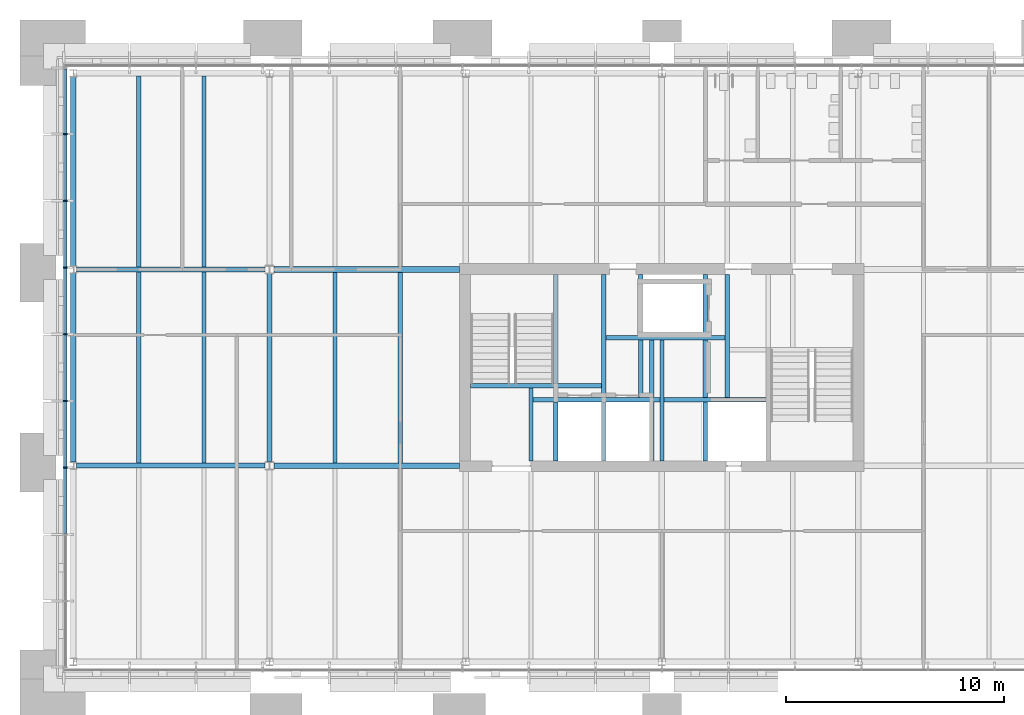
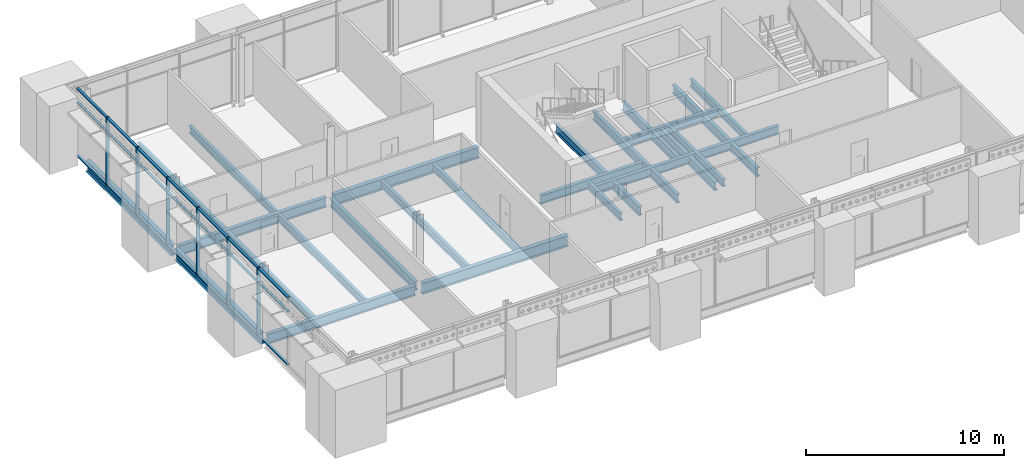
# One storey, part 13 of 37: 31 beams, 27 members, 1 element without a shape of its own.
"""IFC4 building model written with IfcOpenShell, lengths in metres."""

import ifcopenshell
import ifcopenshell.guid

model = None  # the IFC model being written
_history = None  # IfcOwnerHistory: only IFC2X3 demands one
_inside = {}  # id of a spatial element -> (the spatial element, [elements in it])
_under = {}  # id of a project, library or spatial element -> (it, [spatial elements below it])
_declared = {}  # id of a project -> (the project, [libraries it declares])
_typed = {}  # id of a type object -> (the type object, [elements of that type])
_made_of = {}  # id of a material, layer set ... -> (it, [elements and type objects made of it])


def new_model(schema):
    """Start an empty IFC model of exactly this schema.

    Asked for "IFC4X3", IfcOpenShell would pick the latest addendum, in which some entities
    have other attributes; the version numbers below select the first issue.
    IFC2X3 requires an IfcOwnerHistory on every rooted entity: one is made here for all.
    """
    global model, _history
    if schema == "IFC4X3":
        model = ifcopenshell.file(schema_version=(4, 3, 0, 0))
    else:
        model = ifcopenshell.file(schema=schema)
    _inside.clear()
    _under.clear()
    _declared.clear()
    _typed.clear()
    _made_of.clear()
    _history = None
    if model.schema == "IFC2X3":
        org = make("IfcOrganization", Name="unknown")
        user = make(
            "IfcPersonAndOrganization",
            ThePerson=make("IfcPerson", FamilyName="unknown"),
            TheOrganization=org,
        )
        app = make(
            "IfcApplication",
            ApplicationDeveloper=org,
            Version="unknown",
            ApplicationFullName="unknown",
            ApplicationIdentifier="unknown",
        )
        _history = make(
            "IfcOwnerHistory",
            OwningUser=user,
            OwningApplication=app,
            ChangeAction="ADDED",
            CreationDate=0,
        )
    return model


def make(cls, **values):
    """One entity of the class cls with the attributes given. An attribute that is None is left unset."""
    return model.create_entity(
        cls, **{name: value for name, value in values.items() if value is not None}
    )


def rooted(cls, **values):
    """An entity with a GlobalId (a new one), such as an element, a storey or a relation."""
    return make(cls, GlobalId=ifcopenshell.guid.new(), OwnerHistory=_history, **values)


def si_unit(unit_type, name, prefix=None):
    """IfcSIUnit, for example si_unit("LENGTHUNIT", "METRE", prefix="MILLI")."""
    return make("IfcSIUnit", UnitType=unit_type, Prefix=prefix, Name=name)


def assignment(units):
    """IfcUnitAssignment: the units of a project."""
    return None if units is None else make("IfcUnitAssignment", Units=units)


def point(xyz):
    """IfcCartesianPoint."""
    return None if xyz is None else make("IfcCartesianPoint", Coordinates=xyz)


def direction(xyz):
    """IfcDirection."""
    return None if xyz is None else make("IfcDirection", DirectionRatios=xyz)


def frame(location, z_axis=None, x_axis=None):
    """IfcAxis2Placement3D, a coordinate frame: its origin and axes. An axis left out is left unset."""
    return make(
        "IfcAxis2Placement3D",
        Location=point(location),
        Axis=direction(z_axis),
        RefDirection=direction(x_axis),
    )


def frame_2d(location, x_axis=None):
    """IfcAxis2Placement2D, a coordinate frame in the plane: its origin and x axis."""
    return make(
        "IfcAxis2Placement2D", Location=point(location), RefDirection=direction(x_axis)
    )


def origin():
    """The frame at (0, 0, 0) with its axes left unset."""
    return frame((0.0, 0.0, 0.0))


def origin_2d():
    """The frame at (0, 0) in the plane with its x axis left unset."""
    return frame_2d((0.0, 0.0))


def place(relative_to, where):
    """IfcLocalPlacement: puts the frame where relative to a parent placement (None: the world)."""
    return make(
        "IfcLocalPlacement", PlacementRelTo=relative_to, RelativePlacement=where
    )


def context(
    kind, dimensions, precision=None, world=None, true_north=None, identifier=None
):
    """IfcGeometricRepresentationContext, for example the 3D "Model" context."""
    return make(
        "IfcGeometricRepresentationContext",
        ContextIdentifier=identifier,
        ContextType=kind,
        CoordinateSpaceDimension=dimensions,
        Precision=precision,
        WorldCoordinateSystem=world,
        TrueNorth=true_north,
    )


def subcontext(parent, identifier, kind, view, scale=None):
    """IfcGeometricRepresentationSubContext, for example "Body" below "Model"."""
    return make(
        "IfcGeometricRepresentationSubContext",
        ContextIdentifier=identifier,
        ContextType=kind,
        ParentContext=parent,
        TargetScale=scale,
        TargetView=view,
    )


def project(units=None, contexts=None):
    """IfcProject with its units and contexts."""
    return rooted(
        "IfcProject",
        Name="project",
        RepresentationContexts=contexts,
        UnitsInContext=assignment(units),
    )


def spatial(cls, under=None, at=None, **own):
    """A site, building, storey or space (cls), placed at a placement, below another one or the project."""
    s = rooted(cls, ObjectPlacement=at, **own)
    if under is not None:
        _under.setdefault(under.id(), (under, []))[1].append(s)
    return s


def profile(cls, at=None, kind="AREA", **sizes):
    """A parametric profile (cls). Its sizes go by their IFC names, for example OverallWidth=200.0."""
    return make(cls, ProfileType=kind, Position=at, **sizes)


def rectangle(**sizes):
    """IfcRectangleProfileDef."""
    return profile("IfcRectangleProfileDef", **sizes)


def i_section(**sizes):
    """IfcIShapeProfileDef."""
    return profile("IfcIShapeProfileDef", **sizes)


def extrude(swept, where, along, depth):
    """IfcExtrudedAreaSolid: the profile swept, set in the frame where, extruded along a direction by depth."""
    return make(
        "IfcExtrudedAreaSolid",
        SweptArea=swept,
        Position=where,
        ExtrudedDirection=direction(along),
        Depth=depth,
    )


def shape(context_of_items, identifier, shape_type, items):
    """IfcShapeRepresentation: the items that make up one representation, for example the "Body"."""
    return make(
        "IfcShapeRepresentation",
        ContextOfItems=context_of_items,
        RepresentationIdentifier=identifier,
        RepresentationType=shape_type,
        Items=items,
    )


def material(Name=None, Category=None):
    """IfcMaterial."""
    return make("IfcMaterial", Name=Name, Category=Category)


def material_profile(
    of_material, cross_section, Name=None, Category=None, Priority=None
):
    """IfcMaterialProfile: a cross section and its material."""
    return make(
        "IfcMaterialProfile",
        Name=Name,
        Material=of_material,
        Profile=cross_section,
        Priority=Priority,
        Category=Category,
    )


def profile_set(profiles, Name=None, composite=None):
    """IfcMaterialProfileSet."""
    return make(
        "IfcMaterialProfileSet",
        Name=Name,
        MaterialProfiles=profiles,
        CompositeProfile=composite,
    )


def made_of(thing, what):
    """Note that an element or type object is made of a material, layer set ...; save() writes the relation."""
    if what is not None:
        _made_of.setdefault(what.id(), (what, []))[1].append(thing)
    return thing


def type_object(cls, material=None, **own):
    """A type object (cls), such as IfcWallType, which elements share."""
    return made_of(rooted(cls, **own), material)


def element(
    cls,
    number,
    at=None,
    inside=None,
    cuts=None,
    type_object=None,
    material=None,
    context=None,
    identifier="Body",
    shape_type=None,
    held_by="IfcProductDefinitionShape",
    body=None,
    shapes=None,
    **own,
):
    """One element of the class cls, such as IfcWall. Its Tag is "e" and its number.

    at: its placement. inside: the storey or other place that contains it. cuts: it is an
    opening in that element (IfcRelVoidsElement). A single representation is given by context,
    identifier, shape_type and body (its items); several are given by shapes. held_by: the class
    of the entity that holds the representations. save() writes the other relations.
    """
    e = rooted(cls, Tag="e%d" % number, ObjectPlacement=at, **own)
    if body is not None:
        shapes = [shape(context, identifier, shape_type, body)]
    if shapes is not None:
        e.Representation = make(held_by, Representations=shapes)
    if inside is not None:
        _inside.setdefault(inside.id(), (inside, []))[1].append(e)
    if cuts is not None:
        rooted(
            "IfcRelVoidsElement", RelatingBuildingElement=cuts, RelatedOpeningElement=e
        )
    if type_object is not None:
        _typed.setdefault(type_object.id(), (type_object, []))[1].append(e)
    return made_of(e, material)


def aggregate(whole, parts):
    """IfcRelAggregates: a whole, such as a stair, and the parts it consists of."""
    return rooted("IfcRelAggregates", RelatingObject=whole, RelatedObjects=parts)


def save(model, path):
    """Write the relations noted so far, then the file.

    IfcRelAggregates (storeys below a building ...), IfcRelContainedInSpatialStructure (elements
    in a storey), IfcRelDefinesByType, IfcRelAssociatesMaterial and IfcRelDeclares: one each for
    every whole, place, type object, material and project.
    """
    for whole, parts in _under.values():
        aggregate(whole, parts)
    for where, things in _inside.values():
        rooted(
            "IfcRelContainedInSpatialStructure",
            RelatedElements=things,
            RelatingStructure=where,
        )
    for kind, things in _typed.values():
        rooted("IfcRelDefinesByType", RelatedObjects=things, RelatingType=kind)
    for what, things in _made_of.values():
        rooted("IfcRelAssociatesMaterial", RelatedObjects=things, RelatingMaterial=what)
    for by, libraries in _declared.values():
        rooted("IfcRelDeclares", RelatingContext=by, RelatedDefinitions=libraries)
    model.write(path)


model = new_model("IFC4")

# Units and contexts
model_context = context("Model", 3, precision=1e-05, world=origin(), true_north=direction((0.0, 1.0)))
body_context = subcontext(model_context, "Body", "Model", "MODEL_VIEW")
ifc_project = project(units=[si_unit("LENGTHUNIT", "METRE"), si_unit("AREAUNIT", "SQUARE_METRE"), si_unit("VOLUMEUNIT", "CUBIC_METRE"), si_unit("PLANEANGLEUNIT", "RADIAN"), si_unit("MASSUNIT", "GRAM", prefix="KILO")], contexts=[model_context])

# Site, building, storey
site_placement = place(None, origin())
site = spatial("IfcSite", under=ifc_project, at=site_placement, CompositionType="ELEMENT")
building_placement = place(site_placement, origin())
building = spatial("IfcBuilding", under=site, at=building_placement, Name="Baradari Gate Terminus", CompositionType="ELEMENT")
storey_placement = place(building_placement, frame((0.0, 0.0, 24.300048828125)))
storey = spatial("IfcBuildingStorey", under=building, at=storey_placement, Name="L05", CompositionType="ELEMENT", Elevation=24.300048828125)

# Beams
ifc_material_1 = material(Name="Steel S355", Category="steel")
ifc_material_profile_1 = material_profile(ifc_material_1, i_section(OverallWidth=0.19140625, OverallDepth=0.4599609375, WebThickness=0.010009765625, FlangeThickness=0.01611328125, FilletRadius=0.01025390625, at=origin_2d()), Name="UB 457x191x82")
ifc_profile_set_1 = profile_set([ifc_material_profile_1], Name="Steel S355")
beam_type_1 = type_object("IfcBeamType", Name="Core floor beam B23 UB 457x191x82", PredefinedType="BEAM", material=ifc_profile_set_1)
beam_1_placement = place(storey_placement, frame((30.0, 126.22509765625, -0.360107421875), z_axis=(0.0, 1.0, 0.0), x_axis=(-1.0, 0.0, 0.0)))
element("IfcBeam", 1, at=beam_1_placement, inside=storey, type_object=beam_type_1, Name="Core floor beam B23 30:126.225-129.57 L05", PredefinedType="BEAM", context=body_context, shape_type="SweptSolid", body=[
    extrude(i_section(OverallWidth=0.19140625, OverallDepth=0.4599609375, WebThickness=0.010009765625, FlangeThickness=0.01611328125, FilletRadius=0.01025390625, at=origin_2d()), origin(), (0.0, 0.0, 1.0), 3.34521484375),
])
beam_2_placement = place(storey_placement, frame((36.0, 126.22509765625, -0.360107421875), z_axis=(0.0, 1.0, 0.0), x_axis=(-1.0, 0.0, 0.0)))
element("IfcBeam", 2, at=beam_2_placement, inside=storey, type_object=beam_type_1, Name="Core floor beam B23 5:126.225-131.77 L05", PredefinedType="BEAM", context=body_context, shape_type="SweptSolid", body=[
    extrude(i_section(OverallWidth=0.19140625, OverallDepth=0.4599609375, WebThickness=0.010009765625, FlangeThickness=0.01611328125, FilletRadius=0.01025390625, at=origin_2d()), origin(), (0.0, 0.0, 1.0), 5.54541015625),
])
beam_3_placement = place(storey_placement, frame((39.0, 129.129638671875, -0.360107421875), z_axis=(0.0, 1.0, 0.0), x_axis=(-1.0, 0.0, 0.0)))
element("IfcBeam", 3, at=beam_3_placement, inside=storey, type_object=beam_type_1, Name="Core floor beam B23 39:129.13-134.775 L05", PredefinedType="BEAM", context=body_context, shape_type="SweptSolid", body=[
    extrude(i_section(OverallWidth=0.19140625, OverallDepth=0.4599609375, WebThickness=0.010009765625, FlangeThickness=0.01611328125, FilletRadius=0.01025390625, at=origin_2d()), origin(), (0.0, 0.0, 1.0), 5.645263671875),
])
ifc_material_2 = material(Name="Steel S355", Category="steel")
ifc_material_profile_2 = material_profile(ifc_material_2, i_section(OverallWidth=0.209228515625, OverallDepth=0.533203125, WebThickness=0.010009765625, FlangeThickness=0.015625, FilletRadius=0.0126953125, at=origin_2d()), Name="UB 533x210x92")
ifc_profile_set_2 = profile_set([ifc_material_profile_2], Name="Steel S355")
beam_type_2 = type_object("IfcBeamType", Name="Core floor trimmer beam B22 UB 533x210x92", PredefinedType="BEAM", material=ifc_profile_set_2)
beam_4_placement = place(storey_placement, frame((30.095703125, 129.02490234375, -0.396484375), z_axis=(1.0, 0.0, 0.0), x_axis=(0.0, 1.0, 0.0)))
element("IfcBeam", 4, at=beam_4_placement, inside=storey, type_object=beam_type_2, Name="Core floor trimmer beam B22 129.025:30.096-35.904 L05", PredefinedType="BEAM", context=body_context, shape_type="SweptSolid", body=[
    extrude(i_section(OverallWidth=0.209228515625, OverallDepth=0.533203125, WebThickness=0.010009765625, FlangeThickness=0.015625, FilletRadius=0.0126953125, at=origin_2d()), origin(), (0.0, 0.0, 1.0), 5.80859375),
])
beam_5_placement = place(storey_placement, frame((36.095703125, 129.02490234375, -0.396484375), z_axis=(1.0, 0.0, 0.0), x_axis=(0.0, 1.0, 0.0)))
element("IfcBeam", 5, at=beam_5_placement, inside=storey, type_object=beam_type_2, Name="Core floor trimmer beam B22 129.025:36.096-40.77 L05", PredefinedType="BEAM", context=body_context, shape_type="SweptSolid", body=[
    extrude(i_section(OverallWidth=0.209228515625, OverallDepth=0.533203125, WebThickness=0.010009765625, FlangeThickness=0.015625, FilletRadius=0.0126953125, at=origin_2d()), origin(), (0.0, 0.0, 1.0), 4.6748046875),
])
beam_6_placement = place(storey_placement, frame((27.22509765625, 129.675048828125, -0.396484375), z_axis=(1.0, 0.0, 0.0), x_axis=(0.0, 1.0, 0.0)))
element("IfcBeam", 6, at=beam_6_placement, inside=storey, type_object=beam_type_2, Name="Core floor trimmer beam B22 129.675:27.225-33.22 L05", PredefinedType="BEAM", context=body_context, shape_type="SweptSolid", body=[
    extrude(i_section(OverallWidth=0.209228515625, OverallDepth=0.533203125, WebThickness=0.010009765625, FlangeThickness=0.015625, FilletRadius=0.0126953125, at=origin_2d()), origin(), (0.0, 0.0, 1.0), 5.995361328125),
])
beam_7_placement = place(storey_placement, frame((33.4296875, 131.875, -0.396484375), z_axis=(1.0, 0.0, 0.0), x_axis=(0.0, 1.0, 0.0)))
element("IfcBeam", 7, at=beam_7_placement, inside=storey, type_object=beam_type_2, Name="Core floor trimmer beam B22 131.875:33.43-38.904 L05", PredefinedType="BEAM", context=body_context, shape_type="SweptSolid", body=[
    extrude(i_section(OverallWidth=0.209228515625, OverallDepth=0.533203125, WebThickness=0.010009765625, FlangeThickness=0.015625, FilletRadius=0.0126953125, at=origin_2d()), origin(), (0.0, 0.0, 1.0), 5.474609375),
])
for number, where, z_axis, x_axis, name in (
    (8, (31.125, 126.22509765625, -0.396484375), (0.0, 1.0, 0.0), (-1.0, 0.0, 0.0), "Core floor trimmer beam B22 31.125:126.225-128.92 L05"),
    (9, (33.324951171875, 126.22509765625, -0.396484375), (0.0, 1.0, 0.0), (-1.0, 0.0, 0.0), "Core floor trimmer beam B22 33.325:126.225-128.92 L05"),
):
    element("IfcBeam", number, at=place(storey_placement, frame(where, z_axis=z_axis, x_axis=x_axis)), inside=storey, type_object=beam_type_2, Name=name, PredefinedType="BEAM", context=body_context, shape_type="SweptSolid", body=[
        extrude(i_section(OverallWidth=0.209228515625, OverallDepth=0.533203125, WebThickness=0.010009765625, FlangeThickness=0.015625, FilletRadius=0.0126953125, at=origin_2d()), origin(), (0.0, 0.0, 1.0), 2.6953125),
    ])
beam_8_placement = place(storey_placement, frame((33.324951171875, 129.129638671875, -0.396484375), z_axis=(0.0, 1.0, 0.0), x_axis=(-1.0, 0.0, 0.0)))
element("IfcBeam", 10, at=beam_8_placement, inside=storey, type_object=beam_type_2, Name="Core floor trimmer beam B22 33.325:129.13-134.775 L05", PredefinedType="BEAM", context=body_context, shape_type="SweptSolid", body=[
    extrude(i_section(OverallWidth=0.209228515625, OverallDepth=0.533203125, WebThickness=0.010009765625, FlangeThickness=0.015625, FilletRadius=0.0126953125, at=origin_2d()), origin(), (0.0, 0.0, 1.0), 5.645263671875),
])
beam_9_placement = place(storey_placement, frame((35.530029296875, 126.22509765625, -0.396484375), z_axis=(0.0, 1.0, 0.0), x_axis=(-1.0, 0.0, 0.0)))
element("IfcBeam", 11, at=beam_9_placement, inside=storey, type_object=beam_type_2, Name="Core floor trimmer beam B22 35.53:126.225-128.92 L05", PredefinedType="BEAM", context=body_context, shape_type="SweptSolid", body=[
    extrude(i_section(OverallWidth=0.209228515625, OverallDepth=0.533203125, WebThickness=0.010009765625, FlangeThickness=0.015625, FilletRadius=0.0126953125, at=origin_2d()), origin(), (0.0, 0.0, 1.0), 2.6953125),
])
beam_10_placement = place(storey_placement, frame((35.530029296875, 129.129638671875, -0.396484375), z_axis=(0.0, 1.0, 0.0), x_axis=(-1.0, 0.0, 0.0)))
element("IfcBeam", 12, at=beam_10_placement, inside=storey, type_object=beam_type_2, Name="Core floor trimmer beam B22 35.53:129.13-131.77 L05", PredefinedType="BEAM", context=body_context, shape_type="SweptSolid", body=[
    extrude(i_section(OverallWidth=0.209228515625, OverallDepth=0.533203125, WebThickness=0.010009765625, FlangeThickness=0.015625, FilletRadius=0.0126953125, at=origin_2d()), origin(), (0.0, 0.0, 1.0), 2.640869140625),
])
beam_11_placement = place(storey_placement, frame((37.97802734375, 126.22509765625, -0.396484375), z_axis=(0.0, 1.0, 0.0), x_axis=(-1.0, 0.0, 0.0)))
element("IfcBeam", 13, at=beam_11_placement, inside=storey, type_object=beam_type_2, Name="Core floor trimmer beam B22 37.978:126.225-128.92 L05", PredefinedType="BEAM", context=body_context, shape_type="SweptSolid", body=[
    extrude(i_section(OverallWidth=0.209228515625, OverallDepth=0.533203125, WebThickness=0.010009765625, FlangeThickness=0.015625, FilletRadius=0.0126953125, at=origin_2d()), origin(), (0.0, 0.0, 1.0), 2.6953125),
])
beam_12_placement = place(storey_placement, frame((31.125, 129.77978515625, -0.396484375), z_axis=(0.0, 1.0, 0.0), x_axis=(-1.0, 0.0, 0.0)))
element("IfcBeam", 14, at=beam_12_placement, inside=storey, type_object=beam_type_2, Name="Core floor trimmer beam B22 31.125:129.78-134.775 L05", PredefinedType="BEAM", context=body_context, shape_type="SweptSolid", body=[
    extrude(i_section(OverallWidth=0.209228515625, OverallDepth=0.533203125, WebThickness=0.010009765625, FlangeThickness=0.015625, FilletRadius=0.0126953125, at=origin_2d()), origin(), (0.0, 0.0, 1.0), 4.9951171875),
])
beam_13_placement = place(storey_placement, frame((35.02001953125, 129.129638671875, -0.396484375), z_axis=(0.0, 1.0, 0.0), x_axis=(-1.0, 0.0, 0.0)))
element("IfcBeam", 15, at=beam_13_placement, inside=storey, type_object=beam_type_2, Name="Core floor trimmer beam B22 35.02:129.13-131.77 L05", PredefinedType="BEAM", context=body_context, shape_type="SweptSolid", body=[
    extrude(i_section(OverallWidth=0.209228515625, OverallDepth=0.533203125, WebThickness=0.010009765625, FlangeThickness=0.015625, FilletRadius=0.0126953125, at=origin_2d()), origin(), (0.0, 0.0, 1.0), 2.640869140625),
])
beam_14_placement = place(storey_placement, frame((35.02001953125, 131.9794921875, -0.396484375), z_axis=(0.0, 1.0, 0.0), x_axis=(-1.0, 0.0, 0.0)))
element("IfcBeam", 16, at=beam_14_placement, inside=storey, type_object=beam_type_2, Name="Core floor trimmer beam B22 35.02:131.98-134.775 L05", PredefinedType="BEAM", context=body_context, shape_type="SweptSolid", body=[
    extrude(i_section(OverallWidth=0.209228515625, OverallDepth=0.533203125, WebThickness=0.010009765625, FlangeThickness=0.015625, FilletRadius=0.0126953125, at=origin_2d()), origin(), (0.0, 0.0, 1.0), 2.79541015625),
])
beam_15_placement = place(storey_placement, frame((37.97802734375, 129.129638671875, -0.396484375), z_axis=(0.0, 1.0, 0.0), x_axis=(-1.0, 0.0, 0.0)))
element("IfcBeam", 17, at=beam_15_placement, inside=storey, type_object=beam_type_2, Name="Core floor trimmer beam B22 37.978:129.13-131.77 L05", PredefinedType="BEAM", context=body_context, shape_type="SweptSolid", body=[
    extrude(i_section(OverallWidth=0.209228515625, OverallDepth=0.533203125, WebThickness=0.010009765625, FlangeThickness=0.015625, FilletRadius=0.0126953125, at=origin_2d()), origin(), (0.0, 0.0, 1.0), 2.640869140625),
])
beam_16_placement = place(storey_placement, frame((37.97802734375, 131.9794921875, -0.396484375), z_axis=(0.0, 1.0, 0.0), x_axis=(-1.0, 0.0, 0.0)))
element("IfcBeam", 18, at=beam_16_placement, inside=storey, type_object=beam_type_2, Name="Core floor trimmer beam B22 37.978:131.98-134.775 L05", PredefinedType="BEAM", context=body_context, shape_type="SweptSolid", body=[
    extrude(i_section(OverallWidth=0.209228515625, OverallDepth=0.533203125, WebThickness=0.010009765625, FlangeThickness=0.015625, FilletRadius=0.0126953125, at=origin_2d()), origin(), (0.0, 0.0, 1.0), 2.79541015625),
])

# Curtain wall, members
ifc_material_3 = material(Name="Aluminium 6063-T6", Category="aluminium")
curtain_wall_type = type_object("IfcCurtainWallType", Name="Curtain wall CW-1 block unitised, zone L02-L05", PredefinedType="NOTDEFINED", material=ifc_material_3)
curtain_wall_placement = place(storey_placement, origin())
curtain_wall = element("IfcCurtainWall", 19, at=curtain_wall_placement, inside=storey, type_object=curtain_wall_type, Name="Curtain wall CW-1 Operations block W face L05", PredefinedType="NOTDEFINED")
ifc_material_4 = material(Name="Aluminium 6063-T6", Category="aluminium")
ifc_material_profile_3 = material_profile(ifc_material_4, rectangle(XDim=0.199951171875, YDim=0.06494140625, at=origin_2d()), Name="CM-1 65X200")
ifc_profile_set_3 = profile_set([ifc_material_profile_3], Name="Aluminium 6063-T6")
member_type_1 = type_object("IfcMemberType", Name="Curtain wall mullion CM-1 65x200", PredefinedType="MULLION", material=ifc_profile_set_3)
member_1_placement = place(storey_placement, frame((8.6298828125, 125.909912109375, 0.0), z_axis=(0.0, 0.0, 1.0), x_axis=(-1.0, 0.0, 0.0)))
member_1 = element("IfcMember", 20, at=member_1_placement, type_object=member_type_1, Name="CW-1 mullion 4", PredefinedType="MULLION", context=body_context, shape_type="SweptSolid", body=[
    extrude(rectangle(XDim=0.199951171875, YDim=0.06494140625, at=origin_2d()), origin(), (0.0, 0.0, 1.0), 4.199951171875),
])
member_2_placement = place(storey_placement, frame((8.6298828125, 128.969970703125, 0.0), z_axis=(0.0, 0.0, 1.0), x_axis=(-1.0, 0.0, 0.0)))
member_2 = element("IfcMember", 21, at=member_2_placement, type_object=member_type_1, Name="CW-1 mullion 5", PredefinedType="MULLION", context=body_context, shape_type="SweptSolid", body=[
    extrude(rectangle(XDim=0.199951171875, YDim=0.06494140625, at=origin_2d()), origin(), (0.0, 0.0, 1.0), 4.199951171875),
])
member_3_placement = place(storey_placement, frame((8.6298828125, 132.030029296875, 0.0), z_axis=(0.0, 0.0, 1.0), x_axis=(-1.0, 0.0, 0.0)))
member_3 = element("IfcMember", 22, at=member_3_placement, type_object=member_type_1, Name="CW-1 mullion 6", PredefinedType="MULLION", context=body_context, shape_type="SweptSolid", body=[
    extrude(rectangle(XDim=0.199951171875, YDim=0.06494140625, at=origin_2d()), origin(), (0.0, 0.0, 1.0), 4.199951171875),
])
member_4_placement = place(storey_placement, frame((8.6298828125, 135.090087890625, 0.0), z_axis=(0.0, 0.0, 1.0), x_axis=(-1.0, 0.0, 0.0)))
member_4 = element("IfcMember", 23, at=member_4_placement, type_object=member_type_1, Name="CW-1 mullion 7", PredefinedType="MULLION", context=body_context, shape_type="SweptSolid", body=[
    extrude(rectangle(XDim=0.199951171875, YDim=0.06494140625, at=origin_2d()), origin(), (0.0, 0.0, 1.0), 4.199951171875),
])
member_5_placement = place(storey_placement, frame((8.6298828125, 138.14990234375, 0.0), z_axis=(0.0, 0.0, 1.0), x_axis=(-1.0, 0.0, 0.0)))
member_5 = element("IfcMember", 24, at=member_5_placement, type_object=member_type_1, Name="CW-1 mullion 8", PredefinedType="MULLION", context=body_context, shape_type="SweptSolid", body=[
    extrude(rectangle(XDim=0.199951171875, YDim=0.06494140625, at=origin_2d()), origin(), (0.0, 0.0, 1.0), 4.199951171875),
])
member_6_placement = place(storey_placement, frame((8.6298828125, 141.2099609375, 0.0), z_axis=(0.0, 0.0, 1.0), x_axis=(-1.0, 0.0, 0.0)))
member_6 = element("IfcMember", 25, at=member_6_placement, type_object=member_type_1, Name="CW-1 mullion 9", PredefinedType="MULLION", context=body_context, shape_type="SweptSolid", body=[
    extrude(rectangle(XDim=0.199951171875, YDim=0.06494140625, at=origin_2d()), origin(), (0.0, 0.0, 1.0), 4.199951171875),
])
ifc_material_5 = material(Name="Aluminium 6063-T6", Category="aluminium")
ifc_material_profile_4 = material_profile(ifc_material_5, rectangle(XDim=0.14990234375, YDim=0.06494140625, at=origin_2d()), Name="CT-1 65X150")
ifc_profile_set_4 = profile_set([ifc_material_profile_4], Name="Aluminium 6063-T6")
member_type_2 = type_object("IfcMemberType", Name="Curtain wall transom CT-1 65x150", PredefinedType="USERDEFINED", material=ifc_profile_set_4)
member_7_placement = place(storey_placement, frame((8.6298828125, 122.882568359375, 0.032470703125), z_axis=(0.0, 1.0, 0.0), x_axis=(-1.0, 0.0, 0.0)))
member_7 = element("IfcMember", 26, at=member_7_placement, type_object=member_type_2, Name="CW-1 transom 3.1", ObjectType="TRANSOM", PredefinedType="USERDEFINED", context=body_context, shape_type="SweptSolid", body=[
    extrude(rectangle(XDim=0.14990234375, YDim=0.06494140625, at=origin_2d()), origin(), (0.0, 0.0, 1.0), 2.994873046875),
])
member_8_placement = place(storey_placement, frame((8.6298828125, 122.882568359375, 3.300048828125), z_axis=(0.0, 1.0, 0.0), x_axis=(-1.0, 0.0, 0.0)))
member_8 = element("IfcMember", 27, at=member_8_placement, type_object=member_type_2, Name="CW-1 transom 3.2", ObjectType="TRANSOM", PredefinedType="USERDEFINED", context=body_context, shape_type="SweptSolid", body=[
    extrude(rectangle(XDim=0.14990234375, YDim=0.06494140625, at=origin_2d()), origin(), (0.0, 0.0, 1.0), 2.994873046875),
])
member_9_placement = place(storey_placement, frame((8.6298828125, 122.882568359375, 4.16748046875), z_axis=(0.0, 1.0, 0.0), x_axis=(-1.0, 0.0, 0.0)))
member_9 = element("IfcMember", 28, at=member_9_placement, type_object=member_type_2, Name="CW-1 transom 3.3", ObjectType="TRANSOM", PredefinedType="USERDEFINED", context=body_context, shape_type="SweptSolid", body=[
    extrude(rectangle(XDim=0.14990234375, YDim=0.06494140625, at=origin_2d()), origin(), (0.0, 0.0, 1.0), 2.994873046875),
])
member_10_placement = place(storey_placement, frame((8.6298828125, 125.9423828125, 0.032470703125), z_axis=(0.0, 1.0, 0.0), x_axis=(-1.0, 0.0, 0.0)))
member_10 = element("IfcMember", 29, at=member_10_placement, type_object=member_type_2, Name="CW-1 transom 4.1", ObjectType="TRANSOM", PredefinedType="USERDEFINED", context=body_context, shape_type="SweptSolid", body=[
    extrude(rectangle(XDim=0.14990234375, YDim=0.06494140625, at=origin_2d()), origin(), (0.0, 0.0, 1.0), 2.9951171875),
])
member_11_placement = place(storey_placement, frame((8.6298828125, 125.9423828125, 3.300048828125), z_axis=(0.0, 1.0, 0.0), x_axis=(-1.0, 0.0, 0.0)))
member_11 = element("IfcMember", 30, at=member_11_placement, type_object=member_type_2, Name="CW-1 transom 4.2", ObjectType="TRANSOM", PredefinedType="USERDEFINED", context=body_context, shape_type="SweptSolid", body=[
    extrude(rectangle(XDim=0.14990234375, YDim=0.06494140625, at=origin_2d()), origin(), (0.0, 0.0, 1.0), 2.9951171875),
])
member_12_placement = place(storey_placement, frame((8.6298828125, 125.9423828125, 4.16748046875), z_axis=(0.0, 1.0, 0.0), x_axis=(-1.0, 0.0, 0.0)))
member_12 = element("IfcMember", 31, at=member_12_placement, type_object=member_type_2, Name="CW-1 transom 4.3", ObjectType="TRANSOM", PredefinedType="USERDEFINED", context=body_context, shape_type="SweptSolid", body=[
    extrude(rectangle(XDim=0.14990234375, YDim=0.06494140625, at=origin_2d()), origin(), (0.0, 0.0, 1.0), 2.9951171875),
])
member_13_placement = place(storey_placement, frame((8.6298828125, 129.00244140625, 0.032470703125), z_axis=(0.0, 1.0, 0.0), x_axis=(-1.0, 0.0, 0.0)))
member_13 = element("IfcMember", 32, at=member_13_placement, type_object=member_type_2, Name="CW-1 transom 5.1", ObjectType="TRANSOM", PredefinedType="USERDEFINED", context=body_context, shape_type="SweptSolid", body=[
    extrude(rectangle(XDim=0.14990234375, YDim=0.06494140625, at=origin_2d()), origin(), (0.0, 0.0, 1.0), 2.9951171875),
])
member_14_placement = place(storey_placement, frame((8.6298828125, 129.00244140625, 3.300048828125), z_axis=(0.0, 1.0, 0.0), x_axis=(-1.0, 0.0, 0.0)))
member_14 = element("IfcMember", 33, at=member_14_placement, type_object=member_type_2, Name="CW-1 transom 5.2", ObjectType="TRANSOM", PredefinedType="USERDEFINED", context=body_context, shape_type="SweptSolid", body=[
    extrude(rectangle(XDim=0.14990234375, YDim=0.06494140625, at=origin_2d()), origin(), (0.0, 0.0, 1.0), 2.9951171875),
])
member_15_placement = place(storey_placement, frame((8.6298828125, 129.00244140625, 4.16748046875), z_axis=(0.0, 1.0, 0.0), x_axis=(-1.0, 0.0, 0.0)))
member_15 = element("IfcMember", 34, at=member_15_placement, type_object=member_type_2, Name="CW-1 transom 5.3", ObjectType="TRANSOM", PredefinedType="USERDEFINED", context=body_context, shape_type="SweptSolid", body=[
    extrude(rectangle(XDim=0.14990234375, YDim=0.06494140625, at=origin_2d()), origin(), (0.0, 0.0, 1.0), 2.9951171875),
])
member_16_placement = place(storey_placement, frame((8.6298828125, 132.0625, 0.032470703125), z_axis=(0.0, 1.0, 0.0), x_axis=(-1.0, 0.0, 0.0)))
member_16 = element("IfcMember", 35, at=member_16_placement, type_object=member_type_2, Name="CW-1 transom 6.1", ObjectType="TRANSOM", PredefinedType="USERDEFINED", context=body_context, shape_type="SweptSolid", body=[
    extrude(rectangle(XDim=0.14990234375, YDim=0.06494140625, at=origin_2d()), origin(), (0.0, 0.0, 1.0), 2.9951171875),
])
member_17_placement = place(storey_placement, frame((8.6298828125, 132.0625, 3.300048828125), z_axis=(0.0, 1.0, 0.0), x_axis=(-1.0, 0.0, 0.0)))
member_17 = element("IfcMember", 36, at=member_17_placement, type_object=member_type_2, Name="CW-1 transom 6.2", ObjectType="TRANSOM", PredefinedType="USERDEFINED", context=body_context, shape_type="SweptSolid", body=[
    extrude(rectangle(XDim=0.14990234375, YDim=0.06494140625, at=origin_2d()), origin(), (0.0, 0.0, 1.0), 2.9951171875),
])
member_18_placement = place(storey_placement, frame((8.6298828125, 132.0625, 4.16748046875), z_axis=(0.0, 1.0, 0.0), x_axis=(-1.0, 0.0, 0.0)))
member_18 = element("IfcMember", 37, at=member_18_placement, type_object=member_type_2, Name="CW-1 transom 6.3", ObjectType="TRANSOM", PredefinedType="USERDEFINED", context=body_context, shape_type="SweptSolid", body=[
    extrude(rectangle(XDim=0.14990234375, YDim=0.06494140625, at=origin_2d()), origin(), (0.0, 0.0, 1.0), 2.9951171875),
])
member_19_placement = place(storey_placement, frame((8.6298828125, 135.12255859375, 0.032470703125), z_axis=(0.0, 1.0, 0.0), x_axis=(-1.0, 0.0, 0.0)))
member_19 = element("IfcMember", 38, at=member_19_placement, type_object=member_type_2, Name="CW-1 transom 7.1", ObjectType="TRANSOM", PredefinedType="USERDEFINED", context=body_context, shape_type="SweptSolid", body=[
    extrude(rectangle(XDim=0.14990234375, YDim=0.06494140625, at=origin_2d()), origin(), (0.0, 0.0, 1.0), 2.994873046875),
])
member_20_placement = place(storey_placement, frame((8.6298828125, 135.12255859375, 3.300048828125), z_axis=(0.0, 1.0, 0.0), x_axis=(-1.0, 0.0, 0.0)))
member_20 = element("IfcMember", 39, at=member_20_placement, type_object=member_type_2, Name="CW-1 transom 7.2", ObjectType="TRANSOM", PredefinedType="USERDEFINED", context=body_context, shape_type="SweptSolid", body=[
    extrude(rectangle(XDim=0.14990234375, YDim=0.06494140625, at=origin_2d()), origin(), (0.0, 0.0, 1.0), 2.994873046875),
])
member_21_placement = place(storey_placement, frame((8.6298828125, 135.12255859375, 4.16748046875), z_axis=(0.0, 1.0, 0.0), x_axis=(-1.0, 0.0, 0.0)))
member_21 = element("IfcMember", 40, at=member_21_placement, type_object=member_type_2, Name="CW-1 transom 7.3", ObjectType="TRANSOM", PredefinedType="USERDEFINED", context=body_context, shape_type="SweptSolid", body=[
    extrude(rectangle(XDim=0.14990234375, YDim=0.06494140625, at=origin_2d()), origin(), (0.0, 0.0, 1.0), 2.994873046875),
])
member_22_placement = place(storey_placement, frame((8.6298828125, 138.1826171875, 0.032470703125), z_axis=(0.0, 1.0, 0.0), x_axis=(-1.0, 0.0, 0.0)))
member_22 = element("IfcMember", 41, at=member_22_placement, type_object=member_type_2, Name="CW-1 transom 8.1", ObjectType="TRANSOM", PredefinedType="USERDEFINED", context=body_context, shape_type="SweptSolid", body=[
    extrude(rectangle(XDim=0.14990234375, YDim=0.06494140625, at=origin_2d()), origin(), (0.0, 0.0, 1.0), 2.994873046875),
])
member_23_placement = place(storey_placement, frame((8.6298828125, 138.1826171875, 3.300048828125), z_axis=(0.0, 1.0, 0.0), x_axis=(-1.0, 0.0, 0.0)))
member_23 = element("IfcMember", 42, at=member_23_placement, type_object=member_type_2, Name="CW-1 transom 8.2", ObjectType="TRANSOM", PredefinedType="USERDEFINED", context=body_context, shape_type="SweptSolid", body=[
    extrude(rectangle(XDim=0.14990234375, YDim=0.06494140625, at=origin_2d()), origin(), (0.0, 0.0, 1.0), 2.994873046875),
])
member_24_placement = place(storey_placement, frame((8.6298828125, 138.1826171875, 4.16748046875), z_axis=(0.0, 1.0, 0.0), x_axis=(-1.0, 0.0, 0.0)))
member_24 = element("IfcMember", 43, at=member_24_placement, type_object=member_type_2, Name="CW-1 transom 8.3", ObjectType="TRANSOM", PredefinedType="USERDEFINED", context=body_context, shape_type="SweptSolid", body=[
    extrude(rectangle(XDim=0.14990234375, YDim=0.06494140625, at=origin_2d()), origin(), (0.0, 0.0, 1.0), 2.994873046875),
])
member_25_placement = place(storey_placement, frame((8.6298828125, 141.242431640625, 0.032470703125), z_axis=(0.0, 1.0, 0.0), x_axis=(-1.0, 0.0, 0.0)))
member_25 = element("IfcMember", 44, at=member_25_placement, type_object=member_type_2, Name="CW-1 transom 9.1", ObjectType="TRANSOM", PredefinedType="USERDEFINED", context=body_context, shape_type="SweptSolid", body=[
    extrude(rectangle(XDim=0.14990234375, YDim=0.06494140625, at=origin_2d()), origin(), (0.0, 0.0, 1.0), 2.962646484375),
])
member_26_placement = place(storey_placement, frame((8.6298828125, 141.242431640625, 3.300048828125), z_axis=(0.0, 1.0, 0.0), x_axis=(-1.0, 0.0, 0.0)))
member_26 = element("IfcMember", 45, at=member_26_placement, type_object=member_type_2, Name="CW-1 transom 9.2", ObjectType="TRANSOM", PredefinedType="USERDEFINED", context=body_context, shape_type="SweptSolid", body=[
    extrude(rectangle(XDim=0.14990234375, YDim=0.06494140625, at=origin_2d()), origin(), (0.0, 0.0, 1.0), 2.962646484375),
])
member_27_placement = place(storey_placement, frame((8.6298828125, 141.242431640625, 4.16748046875), z_axis=(0.0, 1.0, 0.0), x_axis=(-1.0, 0.0, 0.0)))
member_27 = element("IfcMember", 46, at=member_27_placement, type_object=member_type_2, Name="CW-1 transom 9.3", ObjectType="TRANSOM", PredefinedType="USERDEFINED", context=body_context, shape_type="SweptSolid", body=[
    extrude(rectangle(XDim=0.14990234375, YDim=0.06494140625, at=origin_2d()), origin(), (0.0, 0.0, 1.0), 2.962646484375),
])
aggregate(curtain_wall, [member_1, member_2, member_3, member_4, member_5, member_6, member_7, member_8, member_9, member_10, member_11, member_12, member_13, member_14, member_15, member_16, member_17, member_18, member_19, member_20, member_21, member_22, member_23, member_24, member_25, member_26, member_27])

# Beams
ifc_material_6 = material(Name="Steel S355", Category="steel")
ifc_material_profile_5 = material_profile(ifc_material_6, i_section(OverallWidth=0.25439453125, OverallDepth=0.6875, WebThickness=0.01318359375, FlangeThickness=0.02099609375, FilletRadius=0.01513671875, at=origin_2d()), Name="UB 686x254x152")
ifc_profile_set_5 = profile_set([ifc_material_profile_5], Name="Steel S355")
beam_type_3 = type_object("IfcBeamType", Name="Operations block coupling beam B26 UB 686x254x152", PredefinedType="BEAM", material=ifc_profile_set_5)
for number, where, z_axis, x_axis, name in (
    (47, (18.197509765625, 126.0, -0.473876953125), (1.0, 0.0, 0.0), (0.0, 1.0, 0.0), "Operations block coupling beam B26 Q:18.197-26.725 L05"),
    (48, (18.197509765625, 135.0, -0.473876953125), (1.0, 0.0, 0.0), (0.0, 1.0, 0.0), "Operations block coupling beam B26 R:18.197-26.725 L05"),
):
    element("IfcBeam", number, at=place(storey_placement, frame(where, z_axis=z_axis, x_axis=x_axis)), inside=storey, type_object=beam_type_3, Name=name, PredefinedType="BEAM", context=body_context, shape_type="SweptSolid", body=[
        extrude(i_section(OverallWidth=0.25439453125, OverallDepth=0.6875, WebThickness=0.01318359375, FlangeThickness=0.02099609375, FilletRadius=0.01513671875, at=origin_2d()), origin(), (0.0, 0.0, 1.0), 8.527587890625),
    ])
ifc_material_7 = material(Name="Steel S355", Category="steel")
ifc_material_profile_6 = material_profile(ifc_material_7, i_section(OverallWidth=0.22900390625, OverallDepth=0.6123046875, WebThickness=0.011962890625, FlangeThickness=0.01953125, FilletRadius=0.0126953125, at=origin_2d()), Name="UB 610x229x125")
ifc_profile_set_6 = profile_set([ifc_material_profile_6], Name="Steel S355")
beam_type_4 = type_object("IfcBeamType", Name="Operations block girder B25 UB 610x229x125", PredefinedType="BEAM", material=ifc_profile_set_6)
for number, where, z_axis, x_axis, name in (
    (49, (9.1572265625, 126.0, -0.43603515625), (1.0, 0.0, 0.0), (0.0, 1.0, 0.0), "Operations block girder B25 Q:9.157-17.803 L05"),
    (50, (9.1572265625, 135.0, -0.43603515625), (1.0, 0.0, 0.0), (0.0, 1.0, 0.0), "Operations block girder B25 R:9.157-17.803 L05"),
):
    element("IfcBeam", number, at=place(storey_placement, frame(where, z_axis=z_axis, x_axis=x_axis)), inside=storey, type_object=beam_type_4, Name=name, PredefinedType="BEAM", context=body_context, shape_type="SweptSolid", body=[
        extrude(i_section(OverallWidth=0.22900390625, OverallDepth=0.6123046875, WebThickness=0.011962890625, FlangeThickness=0.01953125, FilletRadius=0.0126953125, at=origin_2d()), origin(), (0.0, 0.0, 1.0), 8.645263671875),
    ])
ifc_material_8 = material(Name="Steel S355", Category="steel")
ifc_material_profile_7 = material_profile(ifc_material_8, i_section(OverallWidth=0.210693359375, OverallDepth=0.53955078125, WebThickness=0.01171875, FlangeThickness=0.018798828125, FilletRadius=0.0126953125, at=origin_2d()), Name="UB 533x210x109")
ifc_profile_set_7 = profile_set([ifc_material_profile_7], Name="Steel S355")
beam_type_5 = type_object("IfcBeamType", Name="Operations block girder B29 UB 533x210x109", PredefinedType="BEAM", material=ifc_profile_set_7)
beam_17_placement = place(storey_placement, frame((18.0, 126.1904296875, -0.39990234375), z_axis=(0.0, 1.0, 0.0), x_axis=(-1.0, 0.0, 0.0)))
element("IfcBeam", 51, at=beam_17_placement, inside=storey, type_object=beam_type_5, Name="Operations block girder B29 3:126.191-134.81 L05", PredefinedType="BEAM", context=body_context, shape_type="SweptSolid", body=[
    extrude(i_section(OverallWidth=0.210693359375, OverallDepth=0.53955078125, WebThickness=0.01171875, FlangeThickness=0.018798828125, FilletRadius=0.0126953125, at=origin_2d()), origin(), (0.0, 0.0, 1.0), 8.619140625),
])
ifc_material_9 = material(Name="Steel S355", Category="steel")
ifc_material_profile_8 = material_profile(ifc_material_9, i_section(OverallWidth=0.25439453125, OverallDepth=0.6875, WebThickness=0.01318359375, FlangeThickness=0.02099609375, FilletRadius=0.01513671875, at=origin_2d()), Name="UB 686x254x152")
ifc_profile_set_8 = profile_set([ifc_material_profile_8], Name="Steel S355")
beam_type_6 = type_object("IfcBeamType", Name="Operations block moment frame beam B32 UB 686x254x152", PredefinedType="BEAM", material=ifc_profile_set_8)
for number, where, z_axis, x_axis, name in (
    (52, (9.0, 126.169921875, -0.473876953125), (0.0, 1.0, 0.0), (-1.0, 0.0, 0.0), "Operations block moment frame beam B32 2:126.17-134.83 L05"),
    (53, (9.0, 135.169921875, -0.473876953125), (0.0, 1.0, 0.0), (-1.0, 0.0, 0.0), "Operations block moment frame beam B32 2:135.17-143.83 L05"),
):
    element("IfcBeam", number, at=place(storey_placement, frame(where, z_axis=z_axis, x_axis=x_axis)), inside=storey, type_object=beam_type_6, Name=name, PredefinedType="BEAM", context=body_context, shape_type="SweptSolid", body=[
        extrude(i_section(OverallWidth=0.25439453125, OverallDepth=0.6875, WebThickness=0.01318359375, FlangeThickness=0.02099609375, FilletRadius=0.01513671875, at=origin_2d()), origin(), (0.0, 0.0, 1.0), 8.66015625),
    ])
ifc_material_10 = material(Name="Steel S355", Category="steel")
ifc_material_profile_9 = material_profile(ifc_material_10, i_section(OverallWidth=0.18994140625, OverallDepth=0.453369140625, WebThickness=0.008544921875, FlangeThickness=0.0126953125, FilletRadius=0.01025390625, at=origin_2d()), Name="UB 457x191x67")
ifc_profile_set_9 = profile_set([ifc_material_profile_9], Name="Steel S355")
beam_type_7 = type_object("IfcBeamType", Name="Operations block secondary beam B28 UB 457x191x67", PredefinedType="BEAM", material=ifc_profile_set_9)
beam_18_placement = place(storey_placement, frame((12.0, 126.114501953125, -0.356689453125), z_axis=(0.0, 1.0, 0.0), x_axis=(-1.0, 0.0, 0.0)))
element("IfcBeam", 54, at=beam_18_placement, inside=storey, type_object=beam_type_7, Name="Operations block secondary beam B28 12:126.115-134.886 L05", PredefinedType="BEAM", context=body_context, shape_type="SweptSolid", body=[
    extrude(i_section(OverallWidth=0.18994140625, OverallDepth=0.453369140625, WebThickness=0.008544921875, FlangeThickness=0.0126953125, FilletRadius=0.01025390625, at=origin_2d()), origin(), (0.0, 0.0, 1.0), 8.77099609375),
])
beam_19_placement = place(storey_placement, frame((12.0, 135.114501953125, -0.356689453125), z_axis=(0.0, 1.0, 0.0), x_axis=(-1.0, 0.0, 0.0)))
element("IfcBeam", 55, at=beam_19_placement, inside=storey, type_object=beam_type_7, Name="Operations block secondary beam B28 12:135.114-143.873 L05", PredefinedType="BEAM", context=body_context, shape_type="SweptSolid", body=[
    extrude(i_section(OverallWidth=0.18994140625, OverallDepth=0.453369140625, WebThickness=0.008544921875, FlangeThickness=0.0126953125, FilletRadius=0.01025390625, at=origin_2d()), origin(), (0.0, 0.0, 1.0), 8.75830078125),
])
beam_20_placement = place(storey_placement, frame((15.0, 126.114501953125, -0.356689453125), z_axis=(0.0, 1.0, 0.0), x_axis=(-1.0, 0.0, 0.0)))
element("IfcBeam", 56, at=beam_20_placement, inside=storey, type_object=beam_type_7, Name="Operations block secondary beam B28 15:126.115-134.886 L05", PredefinedType="BEAM", context=body_context, shape_type="SweptSolid", body=[
    extrude(i_section(OverallWidth=0.18994140625, OverallDepth=0.453369140625, WebThickness=0.008544921875, FlangeThickness=0.0126953125, FilletRadius=0.01025390625, at=origin_2d()), origin(), (0.0, 0.0, 1.0), 8.77099609375),
])
beam_21_placement = place(storey_placement, frame((15.0, 135.114501953125, -0.356689453125), z_axis=(0.0, 1.0, 0.0), x_axis=(-1.0, 0.0, 0.0)))
element("IfcBeam", 57, at=beam_21_placement, inside=storey, type_object=beam_type_7, Name="Operations block secondary beam B28 15:135.114-143.873 L05", PredefinedType="BEAM", context=body_context, shape_type="SweptSolid", body=[
    extrude(i_section(OverallWidth=0.18994140625, OverallDepth=0.453369140625, WebThickness=0.008544921875, FlangeThickness=0.0126953125, FilletRadius=0.01025390625, at=origin_2d()), origin(), (0.0, 0.0, 1.0), 8.75830078125),
])
for number, where, z_axis, x_axis, name in (
    (58, (21.0, 126.127197265625, -0.356689453125), (0.0, 1.0, 0.0), (-1.0, 0.0, 0.0), "Operations block secondary beam B28 21:126.127-134.873 L05"),
    (59, (24.0, 126.127197265625, -0.356689453125), (0.0, 1.0, 0.0), (-1.0, 0.0, 0.0), "Operations block secondary beam B28 24:126.127-134.873 L05"),
):
    element("IfcBeam", number, at=place(storey_placement, frame(where, z_axis=z_axis, x_axis=x_axis)), inside=storey, type_object=beam_type_7, Name=name, PredefinedType="BEAM", context=body_context, shape_type="SweptSolid", body=[
        extrude(i_section(OverallWidth=0.18994140625, OverallDepth=0.453369140625, WebThickness=0.008544921875, FlangeThickness=0.0126953125, FilletRadius=0.01025390625, at=origin_2d()), origin(), (0.0, 0.0, 1.0), 8.74560546875),
    ])

save(model, "model.ifc")
